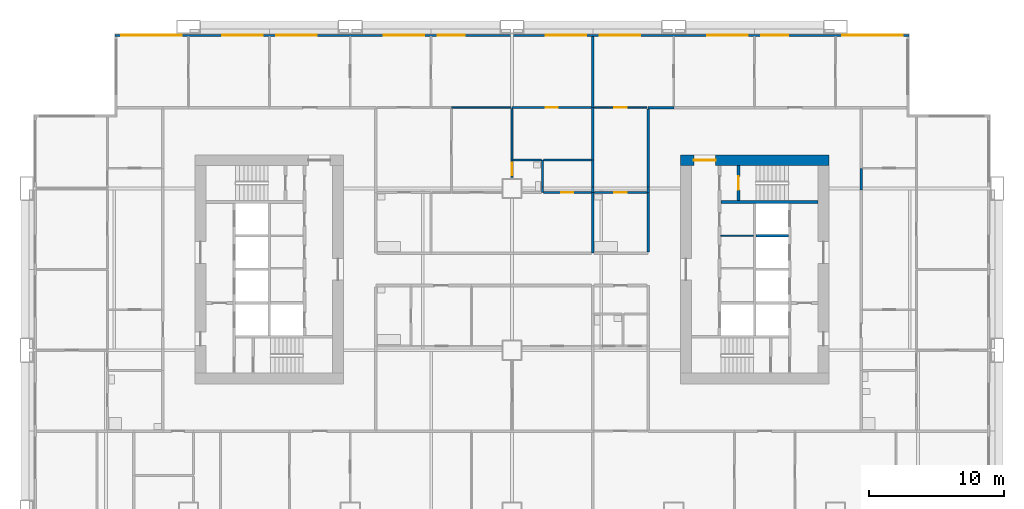
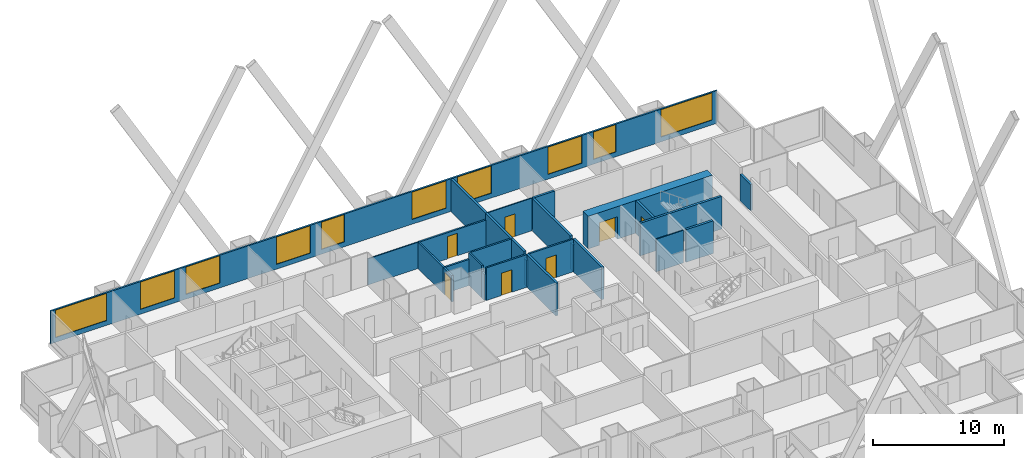
# One storey, part 9 of 13: 27 walls, 10 windows, 7 doors, 17 openings.
"""IFC4 building model written with IfcOpenShell, lengths in metres."""

from ifc_helpers import new_model, si_unit, direction, frame, frame_2d, origin, place, context, subcontext, project, spatial, rectangle, extrude, material, layer, layer_set, type_object, element, fill, save


model = new_model("IFC4")

# Units and contexts
model_context = context("Model", 3, precision=1e-05, world=origin(), true_north=direction((0.0, 1.0)))
body_context = subcontext(model_context, "Body", "Model", "MODEL_VIEW")
ifc_project = project(units=[si_unit("LENGTHUNIT", "METRE"), si_unit("AREAUNIT", "SQUARE_METRE"), si_unit("VOLUMEUNIT", "CUBIC_METRE"), si_unit("PLANEANGLEUNIT", "RADIAN"), si_unit("MASSUNIT", "GRAM", prefix="KILO")], contexts=[model_context])

# Site, building, storey
site_placement = place(None, origin())
site = spatial("IfcSite", under=ifc_project, at=site_placement, CompositionType="ELEMENT")
building_placement = place(site_placement, origin())
building = spatial("IfcBuilding", under=site, at=building_placement, Name="Kitamizu Gate Tower and Museum", CompositionType="ELEMENT")
storey_placement = place(building_placement, frame((0.0, 0.0, 50.699951171875)))
storey = spatial("IfcBuildingStorey", under=building, at=storey_placement, Name="L11", CompositionType="ELEMENT", Elevation=50.699951171875)

# Wall, opening, door
ifc_material_1 = material(Name="Concrete Fc60", Category="concrete")
ifc_layer_1 = layer(ifc_material_1, 0.800048828125)
ifc_layer_set_1 = layer_set([ifc_layer_1], Name="Concrete Fc60")
wall_type_1 = type_object("IfcWallType", Name="Core wall 800", PredefinedType="SHEAR", material=ifc_layer_set_1)
wall_1_placement = place(storey_placement, frame((59.5, 38.10009765625, 0.0), z_axis=(0.0, 0.0, 1.0), x_axis=(-1.0, 0.0, 0.0)))
wall_1 = element("IfcWall", 1, at=wall_1_placement, inside=storey, type_object=wall_type_1, Name="Core wall EN", PredefinedType="SHEAR", context=body_context, shape_type="SweptSolid", body=[
    extrude(rectangle(XDim=11.0, YDim=0.800048828125, at=frame_2d((5.5, 0.0))), origin(), (0.0, 0.0, 1.0), 3.050048828125),
])
opening_1_placement = place(wall_1_placement, frame((8.39990234375, 0.0, 0.0)))
opening_1 = element("IfcOpeningElement", 2, at=opening_1_placement, cuts=wall_1, Name="Opening L11-095", PredefinedType="OPENING", context=body_context, shape_type="SweptSolid", body=[
    extrude(rectangle(XDim=1.60009765625, YDim=2.10009765625, at=frame_2d((0.800048828125, 1.050048828125))), frame((0.0, 0.41015625, 0.0), z_axis=(0.0, -1.0, 0.0), x_axis=(1.0, 0.0, 0.0)), (0.0, 0.0, 1.0), 0.820068359375),
])
ifc_material_2 = material(Name="Timber door set", Category="wood")
door_type_1 = type_object("IfcDoorType", Name="Entrance door 1600", OperationType="DOUBLE_DOOR_SINGLE_SWING", PredefinedType="DOOR", material=ifc_material_2)
door_1_placement = place(opening_1_placement, origin())
door_1 = element("IfcDoor", 3, at=door_1_placement, inside=storey, type_object=door_type_1, Name="Lobby door L11-095", OperationType="DOUBLE_DOOR_SINGLE_SWING", OverallHeight=2.10009765625, OverallWidth=1.60009765625, PredefinedType="DOOR", context=body_context, shape_type="SweptSolid", body=[
    extrude(rectangle(XDim=1.60009765625, YDim=2.10009765625, at=frame_2d((0.800048828125, 1.050048828125))), frame((0.0, 0.02490234375, 0.0), z_axis=(0.0, -1.0, 0.0), x_axis=(1.0, 0.0, 0.0)), (0.0, 0.0, 1.0), 0.050048828125),
])
fill(opening_1, door_1)

# Walls
ifc_material_3 = material(Name="Gypsum board on galvanised stud")
ifc_layer_2 = layer(ifc_material_3, 0.10009765625)
ifc_layer_set_2 = layer_set([ifc_layer_2], Name="Gypsum board on galvanised stud")
wall_type_2 = type_object("IfcWallType", Name="Partition 100", PredefinedType="PARTITIONING", material=ifc_layer_set_2)
wall_2_placement = place(storey_placement, frame((53.89990234375, 32.490966796875, 0.0), z_axis=(0.0, 0.0, 1.0), x_axis=(-1.0, 0.0, 0.0)))
element("IfcWall", 4, at=wall_2_placement, inside=storey, type_object=wall_type_2, Name="Partition EPF2", PredefinedType="PARTITIONING", context=body_context, shape_type="SweptSolid", body=[
    extrude(rectangle(XDim=2.39990234375, YDim=0.10009765625, at=frame_2d((1.199951171875, 0.0))), origin(), (0.0, 0.0, 1.0), 3.050048828125),
])
ifc_material_4 = material(Name="Gypsum board on galvanised stud")
ifc_layer_3 = layer(ifc_material_4, 0.10009765625)
ifc_layer_set_3 = layer_set([ifc_layer_3], Name="Gypsum board on galvanised stud")
wall_type_3 = type_object("IfcWallType", Name="Partition 100 NOT RATED", PredefinedType="PARTITIONING", material=ifc_layer_set_3)
wall_3_placement = place(storey_placement, frame((31.5, 42.0, 0.0), z_axis=(0.0, 0.0, 1.0), x_axis=(1.0, 0.0, 0.0)))
element("IfcWall", 5, at=wall_3_placement, inside=storey, type_object=wall_type_3, Name="Partition L11-130", PredefinedType="PARTITIONING", context=body_context, shape_type="SweptSolid", body=[
    extrude(rectangle(XDim=4.425048828125, YDim=0.10009765625, at=frame_2d((2.21240234375, 0.0))), origin(), (0.0, 0.0, 1.0), 2.449951171875),
])

# Wall, opening, door
wall_4_placement = place(storey_placement, frame((42.10009765625, 42.0, 0.0), z_axis=(0.0, 0.0, 1.0), x_axis=(1.0, 0.0, 0.0)))
wall_4 = element("IfcWall", 6, at=wall_4_placement, inside=storey, type_object=wall_type_3, Name="Partition L11-176", PredefinedType="PARTITIONING", context=body_context, shape_type="SweptSolid", body=[
    extrude(rectangle(XDim=3.89990234375, YDim=0.10009765625, at=frame_2d((1.949951171875, 0.0))), origin(), (0.0, 0.0, 1.0), 3.050048828125),
])
opening_2_placement = place(wall_4_placement, frame((1.5, 0.0, 0.0)))
opening_2 = element("IfcOpeningElement", 7, at=opening_2_placement, cuts=wall_4, Name="Opening L11-067", PredefinedType="OPENING", context=body_context, shape_type="SweptSolid", body=[
    extrude(rectangle(XDim=0.89990234375, YDim=2.10009765625, at=frame_2d((0.449951171875, 1.050048828125))), frame((0.0, 0.06005859375, 0.0), z_axis=(0.0, -1.0, 0.0), x_axis=(1.0, 0.0, 0.0)), (0.0, 0.0, 1.0), 0.1201171875),
])
ifc_material_5 = material(Name="Timber door set", Category="wood")
door_type_2 = type_object("IfcDoorType", Name="Room door 900", OperationType="NOTDEFINED", PredefinedType="DOOR", material=ifc_material_5)
door_2_placement = place(opening_2_placement, frame((0.89990234375, 0.0, 0.0), x_axis=(-1.0, 0.0, 0.0)))
door_2 = element("IfcDoor", 8, at=door_2_placement, inside=storey, type_object=door_type_2, Name="Door L11-067", OperationType="SINGLE_SWING_RIGHT", OverallHeight=2.10009765625, OverallWidth=0.89990234375, PredefinedType="DOOR", context=body_context, shape_type="SweptSolid", body=[
    extrude(rectangle(XDim=0.89990234375, YDim=2.10009765625, at=frame_2d((0.449951171875, 1.050048828125))), frame((0.0, 0.02490234375, 0.0), z_axis=(0.0, -1.0, 0.0), x_axis=(1.0, 0.0, 0.0)), (0.0, 0.0, 1.0), 0.050048828125),
])
fill(opening_2, door_2)

ifc_material_6 = material(Name="Gypsum board on galvanised stud")
ifc_layer_4 = layer(ifc_material_6, 0.14990234375)
ifc_layer_set_4 = layer_set([ifc_layer_4], Name="Gypsum board on galvanised stud")
wall_type_4 = type_object("IfcWallType", Name="Partition 150", PredefinedType="PARTITIONING", material=ifc_layer_set_4)
wall_5_placement = place(storey_placement, frame((36.0, 42.0, 0.0), z_axis=(0.0, 0.0, 1.0), x_axis=(1.0, 0.0, 0.0)))
wall_5 = element("IfcWall", 9, at=wall_5_placement, inside=storey, type_object=wall_type_4, Name="Partition L11-131", PredefinedType="PARTITIONING", context=body_context, shape_type="SweptSolid", body=[
    extrude(rectangle(XDim=5.89990234375, YDim=0.14990234375, at=frame_2d((2.949951171875, 0.0))), origin(), (0.0, 0.0, 1.0), 2.449951171875),
])
opening_3_placement = place(wall_5_placement, frame((2.5, 0.0, 0.0)))
opening_3 = element("IfcOpeningElement", 10, at=opening_3_placement, cuts=wall_5, Name="Opening L11-051", PredefinedType="OPENING", context=body_context, shape_type="SweptSolid", body=[
    extrude(rectangle(XDim=0.89990234375, YDim=2.10009765625, at=frame_2d((0.449951171875, 1.050048828125))), frame((0.0, 0.0849609375, 0.0), z_axis=(0.0, -1.0, 0.0), x_axis=(1.0, 0.0, 0.0)), (0.0, 0.0, 1.0), 0.169921875),
])
ifc_material_7 = material(Name="Timber door set", Category="wood")
door_type_3 = type_object("IfcDoorType", Name="Bathroom door 900", OperationType="NOTDEFINED", PredefinedType="DOOR", material=ifc_material_7)
door_3_placement = place(opening_3_placement, frame((0.89990234375, 0.0, 0.0), x_axis=(-1.0, 0.0, 0.0)))
door_3 = element("IfcDoor", 11, at=door_3_placement, inside=storey, type_object=door_type_3, Name="Bathroom door L11-051", OperationType="SINGLE_SWING_LEFT", OverallHeight=2.10009765625, OverallWidth=0.89990234375, PredefinedType="DOOR", context=body_context, shape_type="SweptSolid", body=[
    extrude(rectangle(XDim=0.89990234375, YDim=2.10009765625, at=frame_2d((0.449951171875, 1.050048828125))), frame((0.0, 0.02490234375, 0.0), z_axis=(0.0, -1.0, 0.0), x_axis=(1.0, 0.0, 0.0)), (0.0, 0.0, 1.0), 0.050048828125),
])
fill(opening_3, door_3)

wall_6_placement = place(storey_placement, frame((36.0, 36.800048828125, 0.0), z_axis=(0.0, 0.0, 1.0), x_axis=(0.0, 1.0, 0.0)))
wall_6 = element("IfcWall", 12, at=wall_6_placement, inside=storey, type_object=wall_type_4, Name="Partition L11-138", PredefinedType="PARTITIONING", context=body_context, shape_type="SweptSolid", body=[
    extrude(rectangle(XDim=1.300048828125, YDim=0.14990234375, at=frame_2d((0.64990234375, 0.0))), origin(), (0.0, 0.0, 1.0), 2.449951171875),
])
opening_4_placement = place(wall_6_placement, frame((0.199951171875, 0.0, 0.0)))
opening_4 = element("IfcOpeningElement", 13, at=opening_4_placement, cuts=wall_6, Name="Opening L11-050", PredefinedType="OPENING", context=body_context, shape_type="SweptSolid", body=[
    extrude(rectangle(XDim=0.89990234375, YDim=2.10009765625, at=frame_2d((0.449951171875, 1.050048828125))), frame((0.0, 0.0849609375, 0.0), z_axis=(0.0, -1.0, 0.0), x_axis=(1.0, 0.0, 0.0)), (0.0, 0.0, 1.0), 0.169921875),
])
door_4_placement = place(opening_4_placement, frame((0.89990234375, 0.0, 0.0), x_axis=(-1.0, 0.0, 0.0)))
door_4 = element("IfcDoor", 14, at=door_4_placement, inside=storey, type_object=door_type_3, Name="Bathroom door L11-050", OperationType="SINGLE_SWING_RIGHT", OverallHeight=2.10009765625, OverallWidth=0.89990234375, PredefinedType="DOOR", context=body_context, shape_type="SweptSolid", body=[
    extrude(rectangle(XDim=0.89990234375, YDim=2.10009765625, at=frame_2d((0.449951171875, 1.050048828125))), frame((0.0, 0.02490234375, 0.0), z_axis=(0.0, -1.0, 0.0), x_axis=(1.0, 0.0, 0.0)), (0.0, 0.0, 1.0), 0.050048828125),
])
fill(opening_4, door_4)

# Walls
wall_7_placement = place(storey_placement, frame((36.0, 38.10009765625, 0.0), z_axis=(0.0, 0.0, 1.0), x_axis=(0.0, 1.0, 0.0)))
element("IfcWall", 15, at=wall_7_placement, inside=storey, type_object=wall_type_4, Name="Partition L11-139", PredefinedType="PARTITIONING", context=body_context, shape_type="SweptSolid", body=[
    extrude(rectangle(XDim=3.824951171875, YDim=0.14990234375, at=frame_2d((1.91259765625, 0.0))), origin(), (0.0, 0.0, 1.0), 2.449951171875),
])
wall_8_placement = place(storey_placement, frame((38.25, 35.699951171875, 0.0), z_axis=(0.0, 0.0, 1.0), x_axis=(0.0, 1.0, 0.0)))
element("IfcWall", 16, at=wall_8_placement, inside=storey, type_object=wall_type_4, Name="Partition L11-141", PredefinedType="PARTITIONING", context=body_context, shape_type="SweptSolid", body=[
    extrude(rectangle(XDim=0.400146484375, YDim=0.14990234375, at=frame_2d((0.2001953125, 0.0))), origin(), (0.0, 0.0, 1.0), 2.449951171875),
])
wall_9_placement = place(storey_placement, frame((38.25, 36.10009765625, 0.0), z_axis=(0.0, 0.0, 1.0), x_axis=(0.0, 1.0, 0.0)))
element("IfcWall", 17, at=wall_9_placement, inside=storey, type_object=wall_type_4, Name="Partition L11-142", PredefinedType="PARTITIONING", context=body_context, shape_type="SweptSolid", body=[
    extrude(rectangle(XDim=2.0, YDim=0.14990234375, at=frame_2d((1.0, 0.0))), origin(), (0.0, 0.0, 1.0), 3.050048828125),
])
wall_10_placement = place(storey_placement, frame((38.175048828125, 38.10009765625, 0.0), z_axis=(0.0, 0.0, 1.0), x_axis=(-1.0, 0.0, 0.0)))
element("IfcWall", 18, at=wall_10_placement, inside=storey, type_object=wall_type_4, Name="Partition L11-143", PredefinedType="PARTITIONING", context=body_context, shape_type="SweptSolid", body=[
    extrude(rectangle(XDim=2.10009765625, YDim=0.14990234375, at=frame_2d((1.050048828125, 0.0))), origin(), (0.0, 0.0, 1.0), 2.449951171875),
])
wall_11_placement = place(storey_placement, frame((41.89990234375, 38.10009765625, 0.0), z_axis=(0.0, 0.0, 1.0), x_axis=(-1.0, 0.0, 0.0)))
element("IfcWall", 19, at=wall_11_placement, inside=storey, type_object=wall_type_4, Name="Partition L11-145", PredefinedType="PARTITIONING", context=body_context, shape_type="SweptSolid", body=[
    extrude(rectangle(XDim=3.574951171875, YDim=0.14990234375, at=frame_2d((1.78759765625, 0.0))), origin(), (0.0, 0.0, 1.0), 3.050048828125),
])

# Wall, opening, door
wall_12_placement = place(storey_placement, frame((38.324951171875, 35.699951171875, 0.0), z_axis=(0.0, 0.0, 1.0), x_axis=(1.0, 0.0, 0.0)))
wall_12 = element("IfcWall", 20, at=wall_12_placement, inside=storey, type_object=wall_type_4, Name="Partition L11-146", PredefinedType="PARTITIONING", context=body_context, shape_type="SweptSolid", body=[
    extrude(rectangle(XDim=3.574951171875, YDim=0.14990234375, at=frame_2d((1.78759765625, 0.0))), origin(), (0.0, 0.0, 1.0), 3.050048828125),
])
opening_5_placement = place(wall_12_placement, frame((1.33740234375, 0.0, 0.0)))
opening_5 = element("IfcOpeningElement", 21, at=opening_5_placement, cuts=wall_12, Name="Opening L11-054", PredefinedType="OPENING", context=body_context, shape_type="SweptSolid", body=[
    extrude(rectangle(XDim=0.89990234375, YDim=2.10009765625, at=frame_2d((0.449951171875, 1.050048828125))), frame((0.0, 0.0849609375, 0.0), z_axis=(0.0, -1.0, 0.0), x_axis=(1.0, 0.0, 0.0)), (0.0, 0.0, 1.0), 0.169921875),
])
door_5_placement = place(opening_5_placement, origin())
door_5 = element("IfcDoor", 22, at=door_5_placement, inside=storey, type_object=door_type_3, Name="Bathroom door L11-054", OperationType="SINGLE_SWING_LEFT", OverallHeight=2.10009765625, OverallWidth=0.89990234375, PredefinedType="DOOR", context=body_context, shape_type="SweptSolid", body=[
    extrude(rectangle(XDim=0.89990234375, YDim=2.10009765625, at=frame_2d((0.449951171875, 1.050048828125))), frame((0.0, 0.02490234375, 0.0), z_axis=(0.0, -1.0, 0.0), x_axis=(1.0, 0.0, 0.0)), (0.0, 0.0, 1.0), 0.050048828125),
])
fill(opening_5, door_5)

wall_13_placement = place(storey_placement, frame((42.10009765625, 35.699951171875, 0.0), z_axis=(0.0, 0.0, 1.0), x_axis=(1.0, 0.0, 0.0)))
wall_13 = element("IfcWall", 23, at=wall_13_placement, inside=storey, type_object=wall_type_4, Name="Partition L11-184", PredefinedType="PARTITIONING", context=body_context, shape_type="SweptSolid", body=[
    extrude(rectangle(XDim=3.89990234375, YDim=0.14990234375, at=frame_2d((1.949951171875, 0.0))), origin(), (0.0, 0.0, 1.0), 3.050048828125),
])
opening_6_placement = place(wall_13_placement, frame((1.5, 0.0, 0.0)))
opening_6 = element("IfcOpeningElement", 24, at=opening_6_placement, cuts=wall_13, Name="Opening L11-068", PredefinedType="OPENING", context=body_context, shape_type="SweptSolid", body=[
    extrude(rectangle(XDim=0.89990234375, YDim=2.10009765625, at=frame_2d((0.449951171875, 1.050048828125))), frame((0.0, 0.0849609375, 0.0), z_axis=(0.0, -1.0, 0.0), x_axis=(1.0, 0.0, 0.0)), (0.0, 0.0, 1.0), 0.169921875),
])
door_6_placement = place(opening_6_placement, frame((0.89990234375, 0.0, 0.0), x_axis=(-1.0, 0.0, 0.0)))
door_6 = element("IfcDoor", 25, at=door_6_placement, inside=storey, type_object=door_type_3, Name="Bathroom door L11-068", OperationType="SINGLE_SWING_LEFT", OverallHeight=2.10009765625, OverallWidth=0.89990234375, PredefinedType="DOOR", context=body_context, shape_type="SweptSolid", body=[
    extrude(rectangle(XDim=0.89990234375, YDim=2.10009765625, at=frame_2d((0.449951171875, 1.050048828125))), frame((0.0, 0.02490234375, 0.0), z_axis=(0.0, -1.0, 0.0), x_axis=(1.0, 0.0, 0.0)), (0.0, 0.0, 1.0), 0.050048828125),
])
fill(opening_6, door_6)

# Walls
ifc_material_8 = material(Name="Gypsum board on galvanised stud")
ifc_layer_5 = layer(ifc_material_8, 0.199951171875)
ifc_layer_set_5 = layer_set([ifc_layer_5], Name="Gypsum board on galvanised stud")
wall_type_5 = type_object("IfcWallType", Name="Partition 200", PredefinedType="PARTITIONING", material=ifc_layer_set_5)
wall_14_placement = place(storey_placement, frame((42.0, 42.0, 0.0), z_axis=(0.0, 0.0, 1.0), x_axis=(0.0, 1.0, 0.0)))
element("IfcWall", 26, at=wall_14_placement, inside=storey, type_object=wall_type_5, Name="Partition L11-132", PredefinedType="PARTITIONING", context=body_context, shape_type="SweptSolid", body=[
    extrude(rectangle(XDim=5.280029296875, YDim=0.199951171875, at=frame_2d((2.64013671875, 0.0))), origin(), (0.0, 0.0, 1.0), 3.050048828125),
])
wall_15_placement = place(storey_placement, frame((42.0, 35.699951171875, 0.0), z_axis=(0.0, 0.0, 1.0), x_axis=(0.0, 1.0, 0.0)))
element("IfcWall", 27, at=wall_15_placement, inside=storey, type_object=wall_type_5, Name="Partition L11-147", PredefinedType="PARTITIONING", context=body_context, shape_type="SweptSolid", body=[
    extrude(rectangle(XDim=0.400146484375, YDim=0.199951171875, at=frame_2d((0.2001953125, 0.0))), origin(), (0.0, 0.0, 1.0), 2.449951171875),
])
wall_16_placement = place(storey_placement, frame((42.0, 36.10009765625, 0.0), z_axis=(0.0, 0.0, 1.0), x_axis=(0.0, 1.0, 0.0)))
element("IfcWall", 28, at=wall_16_placement, inside=storey, type_object=wall_type_5, Name="Partition L11-148", PredefinedType="PARTITIONING", context=body_context, shape_type="SweptSolid", body=[
    extrude(rectangle(XDim=2.0, YDim=0.199951171875, at=frame_2d((1.0, 0.0))), origin(), (0.0, 0.0, 1.0), 3.050048828125),
])
wall_17_placement = place(storey_placement, frame((42.0, 38.10009765625, 0.0), z_axis=(0.0, 0.0, 1.0), x_axis=(0.0, 1.0, 0.0)))
element("IfcWall", 29, at=wall_17_placement, inside=storey, type_object=wall_type_5, Name="Partition L11-149", PredefinedType="PARTITIONING", context=body_context, shape_type="SweptSolid", body=[
    extrude(rectangle(XDim=3.89990234375, YDim=0.199951171875, at=frame_2d((1.949951171875, 0.0))), origin(), (0.0, 0.0, 1.0), 3.050048828125),
])
wall_18_placement = place(storey_placement, frame((42.0, 31.199951171875, 0.0), z_axis=(0.0, 0.0, 1.0), x_axis=(0.0, 1.0, 0.0)))
element("IfcWall", 30, at=wall_18_placement, inside=storey, type_object=wall_type_5, Name="Partition L11-153", PredefinedType="PARTITIONING", context=body_context, shape_type="SweptSolid", body=[
    extrude(rectangle(XDim=4.5, YDim=0.199951171875, at=frame_2d((2.25, 0.0))), origin(), (0.0, 0.0, 1.0), 3.050048828125),
])
wall_19_placement = place(storey_placement, frame((46.10009765625, 42.0, 0.0), z_axis=(0.0, 0.0, 1.0), x_axis=(1.0, 0.0, 0.0)))
element("IfcWall", 31, at=wall_19_placement, inside=storey, type_object=wall_type_5, Name="Partition L11-177", PredefinedType="PARTITIONING", context=body_context, shape_type="SweptSolid", body=[
    extrude(rectangle(XDim=1.89990234375, YDim=0.199951171875, at=frame_2d((0.949951171875, 0.0))), origin(), (0.0, 0.0, 1.0), 3.050048828125),
])
wall_20_placement = place(storey_placement, frame((46.10009765625, 35.699951171875, 0.0), z_axis=(0.0, 0.0, 1.0), x_axis=(0.0, 1.0, 0.0)))
element("IfcWall", 32, at=wall_20_placement, inside=storey, type_object=wall_type_5, Name="Partition L11-185", PredefinedType="PARTITIONING", context=body_context, shape_type="SweptSolid", body=[
    extrude(rectangle(XDim=0.400146484375, YDim=0.199951171875, at=frame_2d((0.2001953125, 0.0))), origin(), (0.0, 0.0, 1.0), 2.449951171875),
])
wall_21_placement = place(storey_placement, frame((46.10009765625, 36.10009765625, 0.0), z_axis=(0.0, 0.0, 1.0), x_axis=(0.0, 1.0, 0.0)))
element("IfcWall", 33, at=wall_21_placement, inside=storey, type_object=wall_type_5, Name="Partition L11-186", PredefinedType="PARTITIONING", context=body_context, shape_type="SweptSolid", body=[
    extrude(rectangle(XDim=5.7998046875, YDim=0.199951171875, at=frame_2d((2.89990234375, 0.0))), origin(), (0.0, 0.0, 1.0), 3.050048828125),
])
wall_22_placement = place(storey_placement, frame((46.10009765625, 31.300048828125, 0.0), z_axis=(0.0, 0.0, 1.0), x_axis=(0.0, 1.0, 0.0)))
element("IfcWall", 34, at=wall_22_placement, inside=storey, type_object=wall_type_5, Name="Partition L11-188", PredefinedType="PARTITIONING", context=body_context, shape_type="SweptSolid", body=[
    extrude(rectangle(XDim=4.39990234375, YDim=0.199951171875, at=frame_2d((2.199951171875, 0.0))), origin(), (0.0, 0.0, 1.0), 3.050048828125),
])
wall_23_placement = place(storey_placement, frame((61.89990234375, 37.5, 0.0), z_axis=(0.0, 0.0, 1.0), x_axis=(0.0, -1.0, 0.0)))
element("IfcWall", 35, at=wall_23_placement, inside=storey, type_object=wall_type_5, Name="Partition L11-204", PredefinedType="PARTITIONING", context=body_context, shape_type="SweptSolid", body=[
    extrude(rectangle(XDim=1.60009765625, YDim=0.199951171875, at=frame_2d((0.800048828125, 0.0))), origin(), (0.0, 0.0, 1.0), 2.449951171875),
])
ifc_material_9 = material(Name="Concrete Fc42", Category="concrete")
ifc_layer_6 = layer(ifc_material_9, 0.199951171875)
ifc_layer_set_6 = layer_set([ifc_layer_6], Name="Concrete Fc42")
wall_type_6 = type_object("IfcWallType", Name="Shaft wall 200", PredefinedType="SOLIDWALL", material=ifc_layer_set_6)
wall_24_placement = place(storey_placement, frame((58.699951171875, 35.0, 0.0), z_axis=(0.0, 0.0, 1.0), x_axis=(-1.0, 0.0, 0.0)))
element("IfcWall", 36, at=wall_24_placement, inside=storey, type_object=wall_type_6, Name="Shaft wall ENB", PredefinedType="SOLIDWALL", context=body_context, shape_type="SweptSolid", body=[
    extrude(rectangle(XDim=7.199951171875, YDim=0.199951171875, at=frame_2d((3.60009765625, 0.0))), origin(), (0.0, 0.0, 1.0), 3.050048828125),
])

# Wall, opening, door
wall_25_placement = place(storey_placement, frame((52.800048828125, 35.10009765625, 0.0), z_axis=(0.0, 0.0, 1.0), x_axis=(0.0, 1.0, 0.0)))
wall_25 = element("IfcWall", 37, at=wall_25_placement, inside=storey, type_object=wall_type_6, Name="Shaft wall ENZ", PredefinedType="SOLIDWALL", context=body_context, shape_type="SweptSolid", body=[
    extrude(rectangle(XDim=2.599853515625, YDim=0.199951171875, at=frame_2d((1.2998046875, 0.0))), origin(), (0.0, 0.0, 1.0), 3.050048828125),
])
opening_7_placement = place(wall_25_placement, frame((0.800048828125, 0.0, 0.0)))
opening_7 = element("IfcOpeningElement", 38, at=opening_7_placement, cuts=wall_25, Name="Opening L11-091", PredefinedType="OPENING", context=body_context, shape_type="SweptSolid", body=[
    extrude(rectangle(XDim=1.0, YDim=2.10009765625, at=frame_2d((0.5, 1.050048828125))), frame((0.0, 0.10986328125, 0.0), z_axis=(0.0, -1.0, 0.0), x_axis=(1.0, 0.0, 0.0)), (0.0, 0.0, 1.0), 0.219970703125),
])
ifc_material_10 = material(Name="Hollow metal door set")
door_type_4 = type_object("IfcDoorType", Name="Fire door 1000", OperationType="NOTDEFINED", PredefinedType="DOOR", material=ifc_material_10)
door_7_placement = place(opening_7_placement, frame((1.0, 0.0, 0.0), x_axis=(-1.0, 0.0, 0.0)))
door_7 = element("IfcDoor", 39, at=door_7_placement, inside=storey, type_object=door_type_4, Name="Stair door L11-091", OperationType="SINGLE_SWING_LEFT", OverallHeight=2.10009765625, OverallWidth=1.0, PredefinedType="DOOR", context=body_context, shape_type="SweptSolid", body=[
    extrude(rectangle(XDim=1.0, YDim=2.10009765625, at=frame_2d((0.5, 1.050048828125))), frame((0.0, 0.02490234375, 0.0), z_axis=(0.0, -1.0, 0.0), x_axis=(1.0, 0.0, 0.0)), (0.0, 0.0, 1.0), 0.050048828125),
])
fill(opening_7, door_7)

# Wall
wall_26_placement = place(storey_placement, frame((56.5, 32.5, 0.0), z_axis=(0.0, 0.0, 1.0), x_axis=(-1.0, 0.0, 0.0)))
element("IfcWall", 40, at=wall_26_placement, inside=storey, type_object=wall_type_6, Name="Shaft wall EDVW2", PredefinedType="SOLIDWALL", context=body_context, shape_type="SweptSolid", body=[
    extrude(rectangle(XDim=2.39990234375, YDim=0.199951171875, at=frame_2d((1.199951171875, 0.0))), origin(), (0.0, 0.0, 1.0), 3.050048828125),
])

# Wall, openings, windows
ifc_material_11 = material(Name="Bronze anodised aluminium frame with insulated spandrel and tinted glass", Category="aluminium")
ifc_layer_7 = layer(ifc_material_11, 0.14990234375)
ifc_layer_set_7 = layer_set([ifc_layer_7], Name="Bronze anodised aluminium frame with insulated spandrel and tinted glass")
wall_type_7 = type_object("IfcWallType", Name="WINDOW WALL 150 BRONZE FRAME EI 30", PredefinedType="ELEMENTEDWALL", material=ifc_layer_set_7)
wall_27_placement = place(storey_placement, frame((6.56005859375, 47.364990234375, 0.0), z_axis=(0.0, 0.0, 1.0), x_axis=(1.0, 0.0, 0.0)))
wall_27 = element("IfcWall", 41, at=wall_27_placement, inside=storey, type_object=wall_type_7, Name="Window wall north L11", PredefinedType="ELEMENTEDWALL", context=body_context, shape_type="SweptSolid", body=[
    extrude(rectangle(XDim=58.8798828125, YDim=0.14990234375, at=frame_2d((29.43994140625, 0.0))), origin(), (0.0, 0.0, 1.0), 3.050048828125),
])
opening_8_placement = place(wall_27_placement, frame((0.43994140625, 0.0, 0.449951171875)))
opening_8 = element("IfcOpeningElement", 42, at=opening_8_placement, cuts=wall_27, Name="Opening W15", PredefinedType="OPENING", context=body_context, shape_type="SweptSolid", body=[
    extrude(rectangle(XDim=4.5, YDim=2.550048828125, at=frame_2d((2.25, 1.27490234375))), frame((0.0, 0.0849609375, 0.0), z_axis=(0.0, -1.0, 0.0), x_axis=(1.0, 0.0, 0.0)), (0.0, 0.0, 1.0), 0.169921875),
])
opening_9_placement = place(wall_27_placement, frame((7.93994140625, 0.0, 0.449951171875)))
opening_9 = element("IfcOpeningElement", 43, at=opening_9_placement, cuts=wall_27, Name="Opening W33", PredefinedType="OPENING", context=body_context, shape_type="SweptSolid", body=[
    extrude(rectangle(XDim=3.0, YDim=2.550048828125, at=frame_2d((1.5, 1.27490234375))), frame((0.0, 0.0849609375, 0.0), z_axis=(0.0, -1.0, 0.0), x_axis=(1.0, 0.0, 0.0)), (0.0, 0.0, 1.0), 0.169921875),
])
opening_10_placement = place(wall_27_placement, frame((11.93994140625, 0.0, 0.449951171875)))
opening_10 = element("IfcOpeningElement", 44, at=opening_10_placement, cuts=wall_27, Name="Opening W33", PredefinedType="OPENING", context=body_context, shape_type="SweptSolid", body=[
    extrude(rectangle(XDim=3.0, YDim=2.550048828125, at=frame_2d((1.5, 1.27490234375))), frame((0.0, 0.0849609375, 0.0), z_axis=(0.0, -1.0, 0.0), x_axis=(1.0, 0.0, 0.0)), (0.0, 0.0, 1.0), 0.169921875),
])
opening_11_placement = place(wall_27_placement, frame((19.93994140625, 0.0, 0.449951171875)))
opening_11 = element("IfcOpeningElement", 45, at=opening_11_placement, cuts=wall_27, Name="Opening W33", PredefinedType="OPENING", context=body_context, shape_type="SweptSolid", body=[
    extrude(rectangle(XDim=3.0, YDim=2.550048828125, at=frame_2d((1.5, 1.27490234375))), frame((0.0, 0.0849609375, 0.0), z_axis=(0.0, -1.0, 0.0), x_axis=(1.0, 0.0, 0.0)), (0.0, 0.0, 1.0), 0.169921875),
])
opening_12_placement = place(wall_27_placement, frame((23.93994140625, 0.0, 0.449951171875)))
opening_12 = element("IfcOpeningElement", 46, at=opening_12_placement, cuts=wall_27, Name="Opening W2", PredefinedType="OPENING", context=body_context, shape_type="SweptSolid", body=[
    extrude(rectangle(XDim=2.0, YDim=2.550048828125, at=frame_2d((1.0, 1.27490234375))), frame((0.0, 0.0849609375, 0.0), z_axis=(0.0, -1.0, 0.0), x_axis=(1.0, 0.0, 0.0)), (0.0, 0.0, 1.0), 0.169921875),
])
opening_13_placement = place(wall_27_placement, frame((31.93994140625, 0.0, 0.449951171875)))
opening_13 = element("IfcOpeningElement", 47, at=opening_13_placement, cuts=wall_27, Name="Opening W33", PredefinedType="OPENING", context=body_context, shape_type="SweptSolid", body=[
    extrude(rectangle(XDim=3.0, YDim=2.550048828125, at=frame_2d((1.5, 1.27490234375))), frame((0.0, 0.0849609375, 0.0), z_axis=(0.0, -1.0, 0.0), x_axis=(1.0, 0.0, 0.0)), (0.0, 0.0, 1.0), 0.169921875),
])
opening_14_placement = place(wall_27_placement, frame((35.93994140625, 0.0, 0.449951171875)))
opening_14 = element("IfcOpeningElement", 48, at=opening_14_placement, cuts=wall_27, Name="Opening W33", PredefinedType="OPENING", context=body_context, shape_type="SweptSolid", body=[
    extrude(rectangle(XDim=3.0, YDim=2.550048828125, at=frame_2d((1.5, 1.27490234375))), frame((0.0, 0.0849609375, 0.0), z_axis=(0.0, -1.0, 0.0), x_axis=(1.0, 0.0, 0.0)), (0.0, 0.0, 1.0), 0.169921875),
])
opening_15_placement = place(wall_27_placement, frame((43.93994140625, 0.0, 0.449951171875)))
opening_15 = element("IfcOpeningElement", 49, at=opening_15_placement, cuts=wall_27, Name="Opening W33", PredefinedType="OPENING", context=body_context, shape_type="SweptSolid", body=[
    extrude(rectangle(XDim=3.0, YDim=2.550048828125, at=frame_2d((1.5, 1.27490234375))), frame((0.0, 0.0849609375, 0.0), z_axis=(0.0, -1.0, 0.0), x_axis=(1.0, 0.0, 0.0)), (0.0, 0.0, 1.0), 0.169921875),
])
opening_16_placement = place(wall_27_placement, frame((47.93994140625, 0.0, 0.449951171875)))
opening_16 = element("IfcOpeningElement", 50, at=opening_16_placement, cuts=wall_27, Name="Opening W2", PredefinedType="OPENING", context=body_context, shape_type="SweptSolid", body=[
    extrude(rectangle(XDim=2.0, YDim=2.550048828125, at=frame_2d((1.0, 1.27490234375))), frame((0.0, 0.0849609375, 0.0), z_axis=(0.0, -1.0, 0.0), x_axis=(1.0, 0.0, 0.0)), (0.0, 0.0, 1.0), 0.169921875),
])
opening_17_placement = place(wall_27_placement, frame((53.93994140625, 0.0, 0.449951171875)))
opening_17 = element("IfcOpeningElement", 51, at=opening_17_placement, cuts=wall_27, Name="Opening W15", PredefinedType="OPENING", context=body_context, shape_type="SweptSolid", body=[
    extrude(rectangle(XDim=4.5, YDim=2.550048828125, at=frame_2d((2.25, 1.27490234375))), frame((0.0, 0.0849609375, 0.0), z_axis=(0.0, -1.0, 0.0), x_axis=(1.0, 0.0, 0.0)), (0.0, 0.0, 1.0), 0.169921875),
])
ifc_material_12 = material(Name="Bronze anodised aluminium frame, tinted triple glazing", Category="aluminium")
window_type_1 = type_object("IfcWindowType", Name="WINDOW 2000 x 2550 SILL 450", PartitioningType="SINGLE_PANEL", PredefinedType="WINDOW", material=ifc_material_12)
window_1_placement = place(opening_12_placement, origin())
window_1 = element("IfcWindow", 52, at=window_1_placement, inside=storey, type_object=window_type_1, Name="Window W2 L11", OverallHeight=2.550048828125, OverallWidth=2.0, PartitioningType="SINGLE_PANEL", PredefinedType="WINDOW", context=body_context, shape_type="SweptSolid", body=[
    extrude(rectangle(XDim=2.0, YDim=2.550048828125, at=frame_2d((1.0, 1.27490234375))), frame((0.0, 0.030029296875, 0.0), z_axis=(0.0, -1.0, 0.0), x_axis=(1.0, 0.0, 0.0)), (0.0, 0.0, 1.0), 0.06005859375),
])
fill(opening_12, window_1)
window_2_placement = place(opening_16_placement, origin())
window_2 = element("IfcWindow", 53, at=window_2_placement, inside=storey, type_object=window_type_1, Name="Window W2 L11", OverallHeight=2.550048828125, OverallWidth=2.0, PartitioningType="SINGLE_PANEL", PredefinedType="WINDOW", context=body_context, shape_type="SweptSolid", body=[
    extrude(rectangle(XDim=2.0, YDim=2.550048828125, at=frame_2d((1.0, 1.27490234375))), frame((0.0, 0.030029296875, 0.0), z_axis=(0.0, -1.0, 0.0), x_axis=(1.0, 0.0, 0.0)), (0.0, 0.0, 1.0), 0.06005859375),
])
fill(opening_16, window_2)
ifc_material_13 = material(Name="Bronze anodised aluminium frame, tinted triple glazing", Category="aluminium")
window_type_2 = type_object("IfcWindowType", Name="WINDOW 3000 x 2550 SILL 450", PartitioningType="SINGLE_PANEL", PredefinedType="WINDOW", material=ifc_material_13)
window_3_placement = place(opening_9_placement, origin())
window_3 = element("IfcWindow", 54, at=window_3_placement, inside=storey, type_object=window_type_2, Name="Window W33 L11", OverallHeight=2.550048828125, OverallWidth=3.0, PartitioningType="SINGLE_PANEL", PredefinedType="WINDOW", context=body_context, shape_type="SweptSolid", body=[
    extrude(rectangle(XDim=3.0, YDim=2.550048828125, at=frame_2d((1.5, 1.27490234375))), frame((0.0, 0.030029296875, 0.0), z_axis=(0.0, -1.0, 0.0), x_axis=(1.0, 0.0, 0.0)), (0.0, 0.0, 1.0), 0.06005859375),
])
fill(opening_9, window_3)
window_4_placement = place(opening_10_placement, origin())
window_4 = element("IfcWindow", 55, at=window_4_placement, inside=storey, type_object=window_type_2, Name="Window W33 L11", OverallHeight=2.550048828125, OverallWidth=3.0, PartitioningType="SINGLE_PANEL", PredefinedType="WINDOW", context=body_context, shape_type="SweptSolid", body=[
    extrude(rectangle(XDim=3.0, YDim=2.550048828125, at=frame_2d((1.5, 1.27490234375))), frame((0.0, 0.030029296875, 0.0), z_axis=(0.0, -1.0, 0.0), x_axis=(1.0, 0.0, 0.0)), (0.0, 0.0, 1.0), 0.06005859375),
])
fill(opening_10, window_4)
window_5_placement = place(opening_11_placement, origin())
window_5 = element("IfcWindow", 56, at=window_5_placement, inside=storey, type_object=window_type_2, Name="Window W33 L11", OverallHeight=2.550048828125, OverallWidth=3.0, PartitioningType="SINGLE_PANEL", PredefinedType="WINDOW", context=body_context, shape_type="SweptSolid", body=[
    extrude(rectangle(XDim=3.0, YDim=2.550048828125, at=frame_2d((1.5, 1.27490234375))), frame((0.0, 0.030029296875, 0.0), z_axis=(0.0, -1.0, 0.0), x_axis=(1.0, 0.0, 0.0)), (0.0, 0.0, 1.0), 0.06005859375),
])
fill(opening_11, window_5)
window_6_placement = place(opening_13_placement, origin())
window_6 = element("IfcWindow", 57, at=window_6_placement, inside=storey, type_object=window_type_2, Name="Window W33 L11", OverallHeight=2.550048828125, OverallWidth=3.0, PartitioningType="SINGLE_PANEL", PredefinedType="WINDOW", context=body_context, shape_type="SweptSolid", body=[
    extrude(rectangle(XDim=3.0, YDim=2.550048828125, at=frame_2d((1.5, 1.27490234375))), frame((0.0, 0.030029296875, 0.0), z_axis=(0.0, -1.0, 0.0), x_axis=(1.0, 0.0, 0.0)), (0.0, 0.0, 1.0), 0.06005859375),
])
fill(opening_13, window_6)
window_7_placement = place(opening_14_placement, origin())
window_7 = element("IfcWindow", 58, at=window_7_placement, inside=storey, type_object=window_type_2, Name="Window W33 L11", OverallHeight=2.550048828125, OverallWidth=3.0, PartitioningType="SINGLE_PANEL", PredefinedType="WINDOW", context=body_context, shape_type="SweptSolid", body=[
    extrude(rectangle(XDim=3.0, YDim=2.550048828125, at=frame_2d((1.5, 1.27490234375))), frame((0.0, 0.030029296875, 0.0), z_axis=(0.0, -1.0, 0.0), x_axis=(1.0, 0.0, 0.0)), (0.0, 0.0, 1.0), 0.06005859375),
])
fill(opening_14, window_7)
window_8_placement = place(opening_15_placement, origin())
window_8 = element("IfcWindow", 59, at=window_8_placement, inside=storey, type_object=window_type_2, Name="Window W33 L11", OverallHeight=2.550048828125, OverallWidth=3.0, PartitioningType="SINGLE_PANEL", PredefinedType="WINDOW", context=body_context, shape_type="SweptSolid", body=[
    extrude(rectangle(XDim=3.0, YDim=2.550048828125, at=frame_2d((1.5, 1.27490234375))), frame((0.0, 0.030029296875, 0.0), z_axis=(0.0, -1.0, 0.0), x_axis=(1.0, 0.0, 0.0)), (0.0, 0.0, 1.0), 0.06005859375),
])
fill(opening_15, window_8)
ifc_material_14 = material(Name="Bronze anodised aluminium frame, tinted triple glazing", Category="aluminium")
window_type_3 = type_object("IfcWindowType", Name="WINDOW 4500 x 2550 SILL 450", PartitioningType="SINGLE_PANEL", PredefinedType="WINDOW", material=ifc_material_14)
window_9_placement = place(opening_8_placement, origin())
window_9 = element("IfcWindow", 60, at=window_9_placement, inside=storey, type_object=window_type_3, Name="Window W15 L11", OverallHeight=2.550048828125, OverallWidth=4.5, PartitioningType="SINGLE_PANEL", PredefinedType="WINDOW", context=body_context, shape_type="SweptSolid", body=[
    extrude(rectangle(XDim=4.5, YDim=2.550048828125, at=frame_2d((2.25, 1.27490234375))), frame((0.0, 0.030029296875, 0.0), z_axis=(0.0, -1.0, 0.0), x_axis=(1.0, 0.0, 0.0)), (0.0, 0.0, 1.0), 0.06005859375),
])
fill(opening_8, window_9)
window_10_placement = place(opening_17_placement, origin())
window_10 = element("IfcWindow", 61, at=window_10_placement, inside=storey, type_object=window_type_3, Name="Window W15 L11", OverallHeight=2.550048828125, OverallWidth=4.5, PartitioningType="SINGLE_PANEL", PredefinedType="WINDOW", context=body_context, shape_type="SweptSolid", body=[
    extrude(rectangle(XDim=4.5, YDim=2.550048828125, at=frame_2d((2.25, 1.27490234375))), frame((0.0, 0.030029296875, 0.0), z_axis=(0.0, -1.0, 0.0), x_axis=(1.0, 0.0, 0.0)), (0.0, 0.0, 1.0), 0.06005859375),
])
fill(opening_17, window_10)

save(model, "model.ifc")
